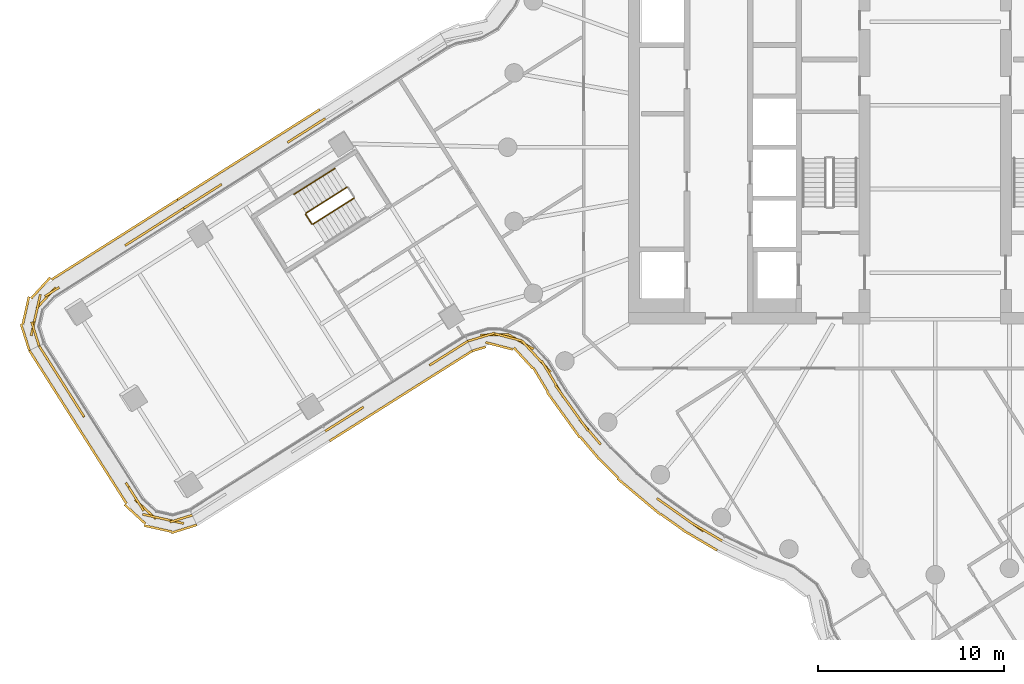
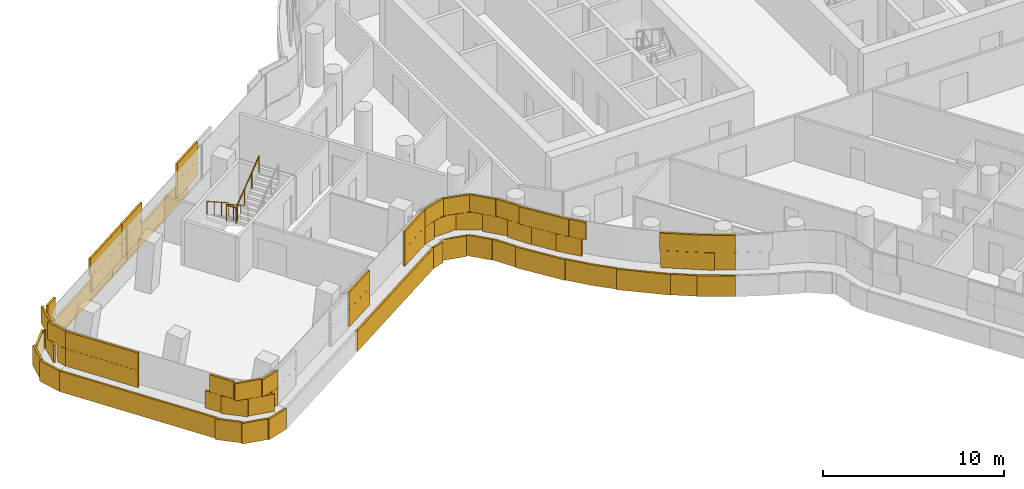
# One storey, part 31 of 36: 5 coverings, 4 railings.
"""IFC4 building model written with IfcOpenShell, lengths in metres."""

from ifc_helpers import new_model, si_unit, direction, frame, origin, origin_2d, place, context, subcontext, project, spatial, rectangle, circle, extrude, material, layer, layer_set, type_object, element, save


model = new_model("IFC4")

# Units and contexts
model_context = context("Model", 3, precision=1e-05, world=origin(), true_north=direction((0.0, 1.0)))
body_context = subcontext(model_context, "Body", "Model", "MODEL_VIEW")
ifc_project = project(units=[si_unit("LENGTHUNIT", "METRE"), si_unit("AREAUNIT", "SQUARE_METRE"), si_unit("VOLUMEUNIT", "CUBIC_METRE"), si_unit("PLANEANGLEUNIT", "RADIAN"), si_unit("MASSUNIT", "GRAM", prefix="KILO")], contexts=[model_context])

# Site, building, storey
site_placement = place(None, origin())
site = spatial("IfcSite", under=ifc_project, at=site_placement, CompositionType="ELEMENT")
building_placement = place(site_placement, origin())
building = spatial("IfcBuilding", under=site, at=building_placement, Name="Tamarind Cross Interchange Tower", CompositionType="ELEMENT")
storey_placement = place(building_placement, frame((0.0, 0.0, 151.75)))
storey = spatial("IfcBuildingStorey", under=building, at=storey_placement, Name="L37", CompositionType="ELEMENT", Elevation=151.75)

# Railings
ifc_material_1 = material(Name="Stair guard")
railing_type_1 = type_object("IfcRailingType", Name="Stair guard", PredefinedType="GUARDRAIL", material=ifc_material_1)
railing_1_placement = place(storey_placement, frame((-31.647705078125, -2.15283203125, 0.17041015625)))
element("IfcRailing", 1, at=railing_1_placement, inside=storey, type_object=railing_type_1, Name="L37 ST5 stair guard 1", PredefinedType="GUARDRAIL", context=body_context, shape_type="SweptSolid", body=[
    extrude(circle(Radius=0.02392578125, at=origin_2d()), frame((0.0, 0.0, 1.076171875), z_axis=(-0.706212529549, -0.44793019777, 0.548290434928), x_axis=(0.535617160796, -0.8444609269, 0.0)), (0.0, 0.0, 1.0), 3.10888671875),
    extrude(circle(Radius=0.02099609375, at=origin_2d()), origin(), (0.0, 0.0, 1.0), 1.052001953125),
    extrude(circle(Radius=0.02099609375, at=origin_2d()), frame((-0.73193359375, -0.464111328125, 0.568115234375)), (0.0, 0.0, 1.0), 1.052001953125),
    extrude(circle(Radius=0.02099609375, at=origin_2d()), frame((-1.463623046875, -0.928466796875, 1.136474609375)), (0.0, 0.0, 1.0), 1.052001953125),
    extrude(circle(Radius=0.02099609375, at=origin_2d()), frame((-2.195556640625, -1.392578125, 1.70458984375)), (0.0, 0.0, 1.0), 1.052001953125),
])
railing_2_placement = place(storey_placement, frame((-33.858642578125, -3.614501953125, 1.875)))
element("IfcRailing", 2, at=railing_2_placement, inside=storey, type_object=railing_type_1, Name="L37 ST5 stair guard 2", PredefinedType="GUARDRAIL", context=body_context, shape_type="SweptSolid", body=[
    extrude(circle(Radius=0.02392578125, at=origin_2d()), frame((0.0, 0.0, 1.076171875), z_axis=(0.535584501074, -0.844481641132, 0.0), x_axis=(0.844481641132, 0.535584501074, 0.0)), (0.0, 0.0, 1.0), 0.599853515625),
    extrude(circle(Radius=0.02099609375, at=origin_2d()), origin(), (0.0, 0.0, 1.0), 1.052001953125),
    extrude(circle(Radius=0.02099609375, at=origin_2d()), frame((0.3212890625, -0.506591796875, 0.0)), (0.0, 0.0, 1.0), 1.052001953125),
])
railing_3_placement = place(storey_placement, frame((-33.46826171875, -4.13671875, 2.04541015625)))
element("IfcRailing", 3, at=railing_3_placement, inside=storey, type_object=railing_type_1, Name="L37 ST5 stair guard 3", PredefinedType="GUARDRAIL", context=body_context, shape_type="SweptSolid", body=[
    extrude(circle(Radius=0.02392578125, at=origin_2d()), frame((0.0, 0.0, 1.076171875), z_axis=(0.706187687253, 0.447992967394, 0.548271147826), x_axis=(-0.535684118618, 0.844418453766, 0.0)), (0.0, 0.0, 1.0), 3.109130859375),
    extrude(circle(Radius=0.02099609375, at=origin_2d()), origin(), (0.0, 0.0, 1.0), 1.052001953125),
    extrude(circle(Radius=0.02099609375, at=origin_2d()), frame((0.73193359375, 0.46435546875, 0.568115234375)), (0.0, 0.0, 1.0), 1.052001953125),
    extrude(circle(Radius=0.02099609375, at=origin_2d()), frame((1.463623046875, 0.928466796875, 1.136474609375)), (0.0, 0.0, 1.0), 1.052001953125),
    extrude(circle(Radius=0.02099609375, at=origin_2d()), frame((2.195556640625, 1.392822265625, 1.70458984375)), (0.0, 0.0, 1.0), 1.052001953125),
])
ifc_material_2 = material(Name="Stair handrail")
railing_type_2 = type_object("IfcRailingType", Name="Stair handrail", PredefinedType="HANDRAIL", material=ifc_material_2)
railing_4_placement = place(storey_placement, frame((-32.29052734375, -1.139404296875, 0.17041015625)))
element("IfcRailing", 4, at=railing_4_placement, inside=storey, type_object=railing_type_2, Name="L37 ST5 stair handrail 1", PredefinedType="HANDRAIL", context=body_context, shape_type="SweptSolid", body=[
    extrude(circle(Radius=0.02392578125, at=origin_2d()), frame((0.0, 0.0, 0.8759765625), z_axis=(-0.706187687253, -0.447992967394, 0.548271147826), x_axis=(0.535684118618, -0.844418453766, 0.0)), (0.0, 0.0, 1.0), 3.109130859375),
    extrude(circle(Radius=0.02099609375, at=origin_2d()), origin(), (0.0, 0.0, 1.0), 0.851806640625),
    extrude(circle(Radius=0.02099609375, at=origin_2d()), frame((-0.73193359375, -0.46435546875, 0.568115234375)), (0.0, 0.0, 1.0), 0.851806640625),
    extrude(circle(Radius=0.02099609375, at=origin_2d()), frame((-1.463623046875, -0.928466796875, 1.136474609375)), (0.0, 0.0, 1.0), 0.851806640625),
    extrude(circle(Radius=0.02099609375, at=origin_2d()), frame((-2.195556640625, -1.392822265625, 1.70458984375)), (0.0, 0.0, 1.0), 0.851806640625),
])

# Coverings
ifc_material_3 = material(Name="Terracotta", Category="masonry")
ifc_layer = layer(ifc_material_3, 0.1201171875)
ifc_layer_set = layer_set([ifc_layer], Name="Terracotta")
covering_type = type_object("IfcCoveringType", Name="Terracotta baguette screen unit", PredefinedType="MOLDING", material=ifc_layer_set)
covering_1_placement = place(storey_placement, origin())
element("IfcCovering", 5, at=covering_1_placement, inside=storey, type_object=covering_type, Name="SCR-L37-03-01", PredefinedType="MOLDING", context=body_context, shape_type="SweptSolid", body=[
    extrude(rectangle(XDim=0.61279296875, YDim=0.1201171875, at=origin_2d()), frame((-33.060791015625, 1.3798828125, 1.404052734375), z_axis=(0.0, 0.0, 1.0), x_axis=(-0.844432651118, -0.535661738157, 0.0)), (0.0, 0.0, 1.0), 1.1669921875),
    extrude(rectangle(XDim=1.52001953125, YDim=0.1201171875, at=origin_2d()), frame((-33.94873046875, 0.816650390625, 1.404052734375), z_axis=(0.0, 0.0, 1.0), x_axis=(-0.844432651118, -0.535661738157, 0.0)), (0.0, 0.0, 1.0), 1.1669921875),
    extrude(rectangle(XDim=0.310302734375, YDim=0.1201171875, at=origin_2d()), frame((-34.708740234375, 0.33447265625, 1.404052734375), z_axis=(0.0, 0.0, 1.0), x_axis=(-0.844432651118, -0.535661738157, 0.0)), (0.0, 0.0, 1.0), 1.1669921875),
    extrude(rectangle(XDim=1.509765625, YDim=0.1201171875, at=origin_2d()), frame((-39.015380859375, -2.3974609375, 1.404052734375), z_axis=(0.0, 0.0, 1.0), x_axis=(-0.844432651118, -0.535661738157, 0.0)), (0.0, 0.0, 1.0), 1.1669921875),
    extrude(rectangle(XDim=0.91357421875, YDim=0.1201171875, at=origin_2d()), frame((-40.030029296875, -3.041015625, 1.404052734375), z_axis=(0.0, 0.0, 1.0), x_axis=(-0.844432651118, -0.535661738157, 0.0)), (0.0, 0.0, 1.0), 1.1669921875),
    extrude(rectangle(XDim=1.36279296875, YDim=0.1201171875, at=origin_2d()), frame((-33.37744140625, 1.178955078125, 2.5791015625), z_axis=(0.0, 0.0, 1.0), x_axis=(-0.844432651118, -0.535661738157, 0.0)), (0.0, 0.0, 1.0), 1.1669921875),
    extrude(rectangle(XDim=1.060302734375, YDim=0.1201171875, at=origin_2d()), frame((-34.39208984375, 0.535400390625, 2.5791015625), z_axis=(0.0, 0.0, 1.0), x_axis=(-0.844432651118, -0.535661738157, 0.0)), (0.0, 0.0, 1.0), 1.1669921875),
    extrude(rectangle(XDim=0.759765625, YDim=0.1201171875, at=origin_2d()), frame((-38.69873046875, -2.196533203125, 2.5791015625), z_axis=(0.0, 0.0, 1.0), x_axis=(-0.844432651118, -0.535661738157, 0.0)), (0.0, 0.0, 1.0), 1.1669921875),
    extrude(rectangle(XDim=1.52001953125, YDim=0.1201171875, at=origin_2d()), frame((-39.6484375, -2.799072265625, 2.5791015625), z_axis=(0.0, 0.0, 1.0), x_axis=(-0.844432651118, -0.535661738157, 0.0)), (0.0, 0.0, 1.0), 1.1669921875),
    extrude(rectangle(XDim=0.16357421875, YDim=0.1201171875, at=origin_2d()), frame((-40.3466796875, -3.241943359375, 2.5791015625), z_axis=(0.0, 0.0, 1.0), x_axis=(-0.844432651118, -0.535661738157, 0.0)), (0.0, 0.0, 1.0), 1.1669921875),
    extrude(rectangle(XDim=0.578369140625, YDim=0.1201171875, at=origin_2d()), frame((-33.355224609375, 1.872802734375, 0.00390625), z_axis=(0.0, 0.0, 1.0), x_axis=(-0.844432651118, -0.535661738157, 0.0)), (0.0, 0.0, 1.0), 1.39208984375),
    extrude(rectangle(XDim=1.52001953125, YDim=0.1201171875, at=origin_2d()), frame((-34.224365234375, 1.321533203125, 0.00390625), z_axis=(0.0, 0.0, 1.0), x_axis=(-0.844432651118, -0.535661738157, 0.0)), (0.0, 0.0, 1.0), 1.39208984375),
    extrude(rectangle(XDim=1.52001953125, YDim=0.1201171875, at=origin_2d()), frame((-35.490966796875, 0.51806640625, 0.00390625), z_axis=(0.0, 0.0, 1.0), x_axis=(-0.844432651118, -0.535661738157, 0.0)), (0.0, 0.0, 1.0), 1.39208984375),
    extrude(rectangle(XDim=1.52001953125, YDim=0.1201171875, at=origin_2d()), frame((-36.757568359375, -0.285400390625, 0.00390625), z_axis=(0.0, 0.0, 1.0), x_axis=(-0.844432651118, -0.535661738157, 0.0)), (0.0, 0.0, 1.0), 1.39208984375),
    extrude(rectangle(XDim=1.52001953125, YDim=0.1201171875, at=origin_2d()), frame((-38.024169921875, -1.089111328125, 0.00390625), z_axis=(0.0, 0.0, 1.0), x_axis=(-0.844432651118, -0.535661738157, 0.0)), (0.0, 0.0, 1.0), 1.39208984375),
    extrude(rectangle(XDim=1.52001953125, YDim=0.1201171875, at=origin_2d()), frame((-39.291015625, -1.892578125, 0.00390625), z_axis=(0.0, 0.0, 1.0), x_axis=(-0.844432651118, -0.535661738157, 0.0)), (0.0, 0.0, 1.0), 1.39208984375),
    extrude(rectangle(XDim=0.988525390625, YDim=0.1201171875, at=origin_2d()), frame((-40.333251953125, -2.5537109375, 0.00390625), z_axis=(0.0, 0.0, 1.0), x_axis=(-0.844432651118, -0.535661738157, 0.0)), (0.0, 0.0, 1.0), 1.39208984375),
])
covering_2_placement = place(storey_placement, origin())
element("IfcCovering", 6, at=covering_2_placement, inside=storey, type_object=covering_type, Name="SCR-L37-03-02", PredefinedType="MOLDING", context=body_context, shape_type="SweptSolid", body=[
    extrude(rectangle(XDim=0.6064453125, YDim=0.1201171875, at=origin_2d()), frame((-40.663330078125, -3.44287109375, 1.404052734375), z_axis=(0.0, 0.0, 1.0), x_axis=(-0.844432651118, -0.535661738157, 0.0)), (0.0, 0.0, 1.0), 1.1669921875),
    extrude(rectangle(XDim=1.52001953125, YDim=0.1201171875, at=origin_2d()), frame((-41.548583984375, -4.00439453125, 1.404052734375), z_axis=(0.0, 0.0, 1.0), x_axis=(-0.844432651118, -0.535661738157, 0.0)), (0.0, 0.0, 1.0), 1.1669921875),
    extrude(rectangle(XDim=1.52001953125, YDim=0.1201171875, at=origin_2d()), frame((-42.815185546875, -4.807861328125, 1.404052734375), z_axis=(0.0, 0.0, 1.0), x_axis=(-0.844432651118, -0.535661738157, 0.0)), (0.0, 0.0, 1.0), 1.1669921875),
    extrude(rectangle(XDim=1.52001953125, YDim=0.1201171875, at=origin_2d()), frame((-47.818115234375, -8.09814453125, 1.404052734375), z_axis=(0.0, 0.0, 1.0), x_axis=(-0.677019846709, -0.735964759457, 0.0)), (0.0, 0.0, 1.0), 1.1669921875),
    extrude(rectangle(XDim=1.52001953125, YDim=0.1201171875, at=origin_2d()), frame((-48.462158203125, -9.396240234375, 1.404052734375), z_axis=(0.0, 0.0, 1.0), x_axis=(-0.218334006388, -0.975874101334, 0.0)), (0.0, 0.0, 1.0), 1.1669921875),
    extrude(rectangle(XDim=0.605224609375, YDim=0.1201171875, at=origin_2d()), frame((-48.290771484375, -10.40185546875, 1.404052734375), z_axis=(0.0, 0.0, 1.0), x_axis=(0.298854254625, -0.954298765844, 0.0)), (0.0, 0.0, 1.0), 1.1669921875),
    extrude(rectangle(XDim=1.3564453125, YDim=0.1201171875, at=origin_2d()), frame((-40.97998046875, -3.643798828125, 2.5791015625), z_axis=(0.0, 0.0, 1.0), x_axis=(-0.844432651118, -0.535661738157, 0.0)), (0.0, 0.0, 1.0), 1.1669921875),
    extrude(rectangle(XDim=1.52001953125, YDim=0.1201171875, at=origin_2d()), frame((-42.181884765625, -4.406005859375, 2.5791015625), z_axis=(0.0, 0.0, 1.0), x_axis=(-0.844432651118, -0.535661738157, 0.0)), (0.0, 0.0, 1.0), 1.1669921875),
    extrude(rectangle(XDim=0.909423828125, YDim=0.1201171875, at=origin_2d()), frame((-43.19482421875, -5.048583984375, 2.5791015625), z_axis=(0.0, 0.0, 1.0), x_axis=(-0.844432651118, -0.535661738157, 0.0)), (0.0, 0.0, 1.0), 1.1669921875),
    extrude(rectangle(XDim=0.91064453125, YDim=0.1201171875, at=origin_2d()), frame((-47.50146484375, -7.780517578125, 2.5791015625), z_axis=(0.0, 0.0, 1.0), x_axis=(-0.844432651118, -0.535661738157, 0.0)), (0.0, 0.0, 1.0), 1.1669921875),
    extrude(rectangle(XDim=1.52001953125, YDim=0.1201171875, at=origin_2d()), frame((-48.29833984375, -8.664306640625, 2.5791015625), z_axis=(0.0, 0.0, 1.0), x_axis=(-0.218334006388, -0.975874101334, 0.0)), (0.0, 0.0, 1.0), 1.1669921875),
    extrude(rectangle(XDim=1.355224609375, YDim=0.1201171875, at=origin_2d()), frame((-48.40283203125, -10.0439453125, 2.5791015625), z_axis=(0.0, 0.0, 1.0), x_axis=(0.298854254625, -0.954298765844, 0.0)), (0.0, 0.0, 1.0), 1.1669921875),
    extrude(rectangle(XDim=0.531494140625, YDim=0.1201171875, at=origin_2d()), frame((-40.974853515625, -2.960693359375, 0.00390625), z_axis=(0.0, 0.0, 1.0), x_axis=(-0.844432651118, -0.535661738157, 0.0)), (0.0, 0.0, 1.0), 1.39208984375),
    extrude(rectangle(XDim=1.52001953125, YDim=0.1201171875, at=origin_2d()), frame((-41.82421875, -3.49951171875, 0.00390625), z_axis=(0.0, 0.0, 1.0), x_axis=(-0.844432651118, -0.535661738157, 0.0)), (0.0, 0.0, 1.0), 1.39208984375),
    extrude(rectangle(XDim=1.52001953125, YDim=0.1201171875, at=origin_2d()), frame((-43.0908203125, -4.302978515625, 0.00390625), z_axis=(0.0, 0.0, 1.0), x_axis=(-0.844432651118, -0.535661738157, 0.0)), (0.0, 0.0, 1.0), 1.39208984375),
    extrude(rectangle(XDim=1.52001953125, YDim=0.1201171875, at=origin_2d()), frame((-44.357421875, -5.1064453125, 0.00390625), z_axis=(0.0, 0.0, 1.0), x_axis=(-0.844432651118, -0.535661738157, 0.0)), (0.0, 0.0, 1.0), 1.39208984375),
    extrude(rectangle(XDim=1.52001953125, YDim=0.1201171875, at=origin_2d()), frame((-45.624267578125, -5.909912109375, 0.00390625), z_axis=(0.0, 0.0, 1.0), x_axis=(-0.844432651118, -0.535661738157, 0.0)), (0.0, 0.0, 1.0), 1.39208984375),
    extrude(rectangle(XDim=1.52001953125, YDim=0.1201171875, at=origin_2d()), frame((-46.890869140625, -6.71337890625, 0.00390625), z_axis=(0.0, 0.0, 1.0), x_axis=(-0.844432651118, -0.535661738157, 0.0)), (0.0, 0.0, 1.0), 1.39208984375),
    extrude(rectangle(XDim=1.52001953125, YDim=0.1201171875, at=origin_2d()), frame((-48.112548828125, -7.570556640625, 0.00390625), z_axis=(0.0, 0.0, 1.0), x_axis=(-0.677019846709, -0.735964759457, 0.0)), (0.0, 0.0, 1.0), 1.39208984375),
    extrude(rectangle(XDim=1.52001953125, YDim=0.1201171875, at=origin_2d()), frame((-48.9140625, -8.78662109375, 0.00390625), z_axis=(0.0, 0.0, 1.0), x_axis=(-0.218334006388, -0.975874101334, 0.0)), (0.0, 0.0, 1.0), 1.39208984375),
    extrude(rectangle(XDim=1.484619140625, YDim=0.1201171875, at=origin_2d()), frame((-48.948974609375, -10.22119140625, 0.00390625), z_axis=(0.0, 0.0, 1.0), x_axis=(0.298854254625, -0.954298765844, 0.0)), (0.0, 0.0, 1.0), 1.39208984375),
])
covering_3_placement = place(storey_placement, origin())
element("IfcCovering", 7, at=covering_3_placement, inside=storey, type_object=covering_type, Name="SCR-L37-04-00", PredefinedType="MOLDING", context=body_context, shape_type="SweptSolid", body=[
    extrude(rectangle(XDim=0.760009765625, YDim=0.1201171875, at=origin_2d()), frame((-48.0009765625, -11.00244140625, 1.404052734375), z_axis=(0.0, 0.0, 1.0), x_axis=(0.535661738157, -0.844432651118, 0.0)), (0.0, 0.0, 1.0), 1.1669921875),
    extrude(rectangle(XDim=1.52001953125, YDim=0.1201171875, at=origin_2d()), frame((-47.3984375, -11.952392578125, 1.404052734375), z_axis=(0.0, 0.0, 1.0), x_axis=(0.535661738157, -0.844432651118, 0.0)), (0.0, 0.0, 1.0), 1.1669921875),
    extrude(rectangle(XDim=1.52001953125, YDim=0.1201171875, at=origin_2d()), frame((-46.594970703125, -13.21923828125, 1.404052734375), z_axis=(0.0, 0.0, 1.0), x_axis=(0.535661738157, -0.844432651118, 0.0)), (0.0, 0.0, 1.0), 1.1669921875),
    extrude(rectangle(XDim=0.784912109375, YDim=0.1201171875, at=origin_2d()), frame((-45.985595703125, -14.1796875, 1.404052734375), z_axis=(0.0, 0.0, 1.0), x_axis=(0.535661738157, -0.844432651118, 0.0)), (0.0, 0.0, 1.0), 1.1669921875),
    extrude(rectangle(XDim=1.03515625, YDim=0.1201171875, at=origin_2d()), frame((-43.253662109375, -18.486328125, 1.404052734375), z_axis=(0.0, 0.0, 1.0), x_axis=(0.535661738157, -0.844432651118, 0.0)), (0.0, 0.0, 1.0), 1.1669921875),
    extrude(rectangle(XDim=1.52001953125, YDim=0.1201171875, at=origin_2d()), frame((-42.48193359375, -19.47265625, 1.404052734375), z_axis=(0.0, 0.0, 1.0), x_axis=(0.735964759457, -0.677019846709, 0.0)), (0.0, 0.0, 1.0), 1.1669921875),
    extrude(rectangle(XDim=1.52001953125, YDim=0.1201171875, at=origin_2d()), frame((-41.160888671875, -20.072998046875, 1.404052734375), z_axis=(0.0, 0.0, 1.0), x_axis=(0.975874101334, -0.218334006388, 0.0)), (0.0, 0.0, 1.0), 1.1669921875),
    extrude(rectangle(XDim=0.509521484375, YDim=0.1201171875, at=origin_2d()), frame((-40.202880859375, -19.866455078125, 1.404052734375), z_axis=(0.0, 0.0, 1.0), x_axis=(0.954298765844, 0.298854254625, 0.0)), (0.0, 0.0, 1.0), 1.1669921875),
    extrude(rectangle(XDim=1.510009765625, YDim=0.1201171875, at=origin_2d()), frame((-47.800048828125, -11.319091796875, 2.5791015625), z_axis=(0.0, 0.0, 1.0), x_axis=(0.535661738157, -0.844432651118, 0.0)), (0.0, 0.0, 1.0), 1.1669921875),
    extrude(rectangle(XDim=1.52001953125, YDim=0.1201171875, at=origin_2d()), frame((-46.99658203125, -12.5859375, 2.5791015625), z_axis=(0.0, 0.0, 1.0), x_axis=(0.535661738157, -0.844432651118, 0.0)), (0.0, 0.0, 1.0), 1.1669921875),
    extrude(rectangle(XDim=1.52001953125, YDim=0.1201171875, at=origin_2d()), frame((-46.193115234375, -13.8525390625, 2.5791015625), z_axis=(0.0, 0.0, 1.0), x_axis=(0.535661738157, -0.844432651118, 0.0)), (0.0, 0.0, 1.0), 1.1669921875),
    extrude(rectangle(XDim=1.52001953125, YDim=0.1201171875, at=origin_2d()), frame((-42.979248046875, -18.919189453125, 2.5791015625), z_axis=(0.0, 0.0, 1.0), x_axis=(0.535661738157, -0.844432651118, 0.0)), (0.0, 0.0, 1.0), 1.1669921875),
    extrude(rectangle(XDim=1.52001953125, YDim=0.1201171875, at=origin_2d()), frame((-41.892822265625, -19.909423828125, 2.5791015625), z_axis=(0.0, 0.0, 1.0), x_axis=(0.975874101334, -0.218334006388, 0.0)), (0.0, 0.0, 1.0), 1.1669921875),
    extrude(rectangle(XDim=1.259521484375, YDim=0.1201171875, at=origin_2d()), frame((-40.560791015625, -19.978515625, 2.5791015625), z_axis=(0.0, 0.0, 1.0), x_axis=(0.954298765844, 0.298854254625, 0.0)), (0.0, 0.0, 1.0), 1.1669921875),
    extrude(rectangle(XDim=0.760009765625, YDim=0.1201171875, at=origin_2d()), frame((-48.5234375, -11.25048828125, 0.00390625), z_axis=(0.0, 0.0, 1.0), x_axis=(0.535661738157, -0.844432651118, 0.0)), (0.0, 0.0, 1.0), 1.39208984375),
    extrude(rectangle(XDim=1.52001953125, YDim=0.1201171875, at=origin_2d()), frame((-47.923583984375, -12.1962890625, 0.00390625), z_axis=(0.0, 0.0, 1.0), x_axis=(0.535661738157, -0.844432651118, 0.0)), (0.0, 0.0, 1.0), 1.39208984375),
    extrude(rectangle(XDim=1.52001953125, YDim=0.1201171875, at=origin_2d()), frame((-47.1201171875, -13.462890625, 0.00390625), z_axis=(0.0, 0.0, 1.0), x_axis=(0.535661738157, -0.844432651118, 0.0)), (0.0, 0.0, 1.0), 1.39208984375),
    extrude(rectangle(XDim=1.52001953125, YDim=0.1201171875, at=origin_2d()), frame((-46.316650390625, -14.7294921875, 0.00390625), z_axis=(0.0, 0.0, 1.0), x_axis=(0.535661738157, -0.844432651118, 0.0)), (0.0, 0.0, 1.0), 1.39208984375),
    extrude(rectangle(XDim=1.52001953125, YDim=0.1201171875, at=origin_2d()), frame((-45.51318359375, -15.99609375, 0.00390625), z_axis=(0.0, 0.0, 1.0), x_axis=(0.535661738157, -0.844432651118, 0.0)), (0.0, 0.0, 1.0), 1.39208984375),
    extrude(rectangle(XDim=1.52001953125, YDim=0.1201171875, at=origin_2d()), frame((-44.709716796875, -17.2626953125, 0.00390625), z_axis=(0.0, 0.0, 1.0), x_axis=(0.535661738157, -0.844432651118, 0.0)), (0.0, 0.0, 1.0), 1.39208984375),
    extrude(rectangle(XDim=1.52001953125, YDim=0.1201171875, at=origin_2d()), frame((-43.906005859375, -18.529296875, 0.00390625), z_axis=(0.0, 0.0, 1.0), x_axis=(0.535661738157, -0.844432651118, 0.0)), (0.0, 0.0, 1.0), 1.39208984375),
    extrude(rectangle(XDim=1.52001953125, YDim=0.1201171875, at=origin_2d()), frame((-43.03759765625, -19.74169921875, 0.00390625), z_axis=(0.0, 0.0, 1.0), x_axis=(0.735964759457, -0.677019846709, 0.0)), (0.0, 0.0, 1.0), 1.39208984375),
    extrude(rectangle(XDim=1.52001953125, YDim=0.1201171875, at=origin_2d()), frame((-41.8076171875, -20.5166015625, 0.00390625), z_axis=(0.0, 0.0, 1.0), x_axis=(0.975874101334, -0.218334006388, 0.0)), (0.0, 0.0, 1.0), 1.39208984375),
    extrude(rectangle(XDim=1.426513671875, YDim=0.1201171875, at=origin_2d()), frame((-40.402099609375, -20.530517578125, 0.00390625), z_axis=(0.0, 0.0, 1.0), x_axis=(0.954298765844, 0.298854254625, 0.0)), (0.0, 0.0, 1.0), 1.39208984375),
])
covering_4_placement = place(storey_placement, origin())
element("IfcCovering", 8, at=covering_4_placement, inside=storey, type_object=covering_type, Name="SCR-L37-05-01", PredefinedType="MOLDING", context=body_context, shape_type="SweptSolid", body=[
    extrude(rectangle(XDim=1.300537109375, YDim=0.1201171875, at=origin_2d()), frame((-32.26611328125, -14.93115234375, 1.404052734375), z_axis=(0.0, 0.0, 1.0), x_axis=(0.845559868241, 0.533880613265, 0.0)), (0.0, 0.0, 1.0), 1.1669921875),
    extrude(rectangle(XDim=1.15478515625, YDim=0.1201171875, at=origin_2d()), frame((-31.236328125, -14.281005859375, 1.404052734375), z_axis=(0.0, 0.0, 1.0), x_axis=(0.845559868241, 0.533880613265, 0.0)), (0.0, 0.0, 1.0), 1.1669921875),
    extrude(rectangle(XDim=0.665283203125, YDim=0.1201171875, at=origin_2d()), frame((-26.924072265625, -11.55810546875, 1.404052734375), z_axis=(0.0, 0.0, 1.0), x_axis=(0.845559868241, 0.533880613265, 0.0)), (0.0, 0.0, 1.0), 1.1669921875),
    extrude(rectangle(XDim=1.52001953125, YDim=0.1201171875, at=origin_2d()), frame((-26.012939453125, -10.98291015625, 1.404052734375), z_axis=(0.0, 0.0, 1.0), x_axis=(0.845559868241, 0.533880613265, 0.0)), (0.0, 0.0, 1.0), 1.1669921875),
    extrude(rectangle(XDim=0.2900390625, YDim=0.1201171875, at=origin_2d()), frame((-25.26025390625, -10.5078125, 1.404052734375), z_axis=(0.0, 0.0, 1.0), x_axis=(0.845559868241, 0.533880613265, 0.0)), (0.0, 0.0, 1.0), 1.1669921875),
    extrude(rectangle(XDim=0.550537109375, YDim=0.1201171875, at=origin_2d()), frame((-32.5830078125, -15.13134765625, 2.5791015625), z_axis=(0.0, 0.0, 1.0), x_axis=(0.845559868241, 0.533880613265, 0.0)), (0.0, 0.0, 1.0), 1.1669921875),
    extrude(rectangle(XDim=1.52001953125, YDim=0.1201171875, at=origin_2d()), frame((-31.720458984375, -14.586669921875, 2.5791015625), z_axis=(0.0, 0.0, 1.0), x_axis=(0.845559868241, 0.533880613265, 0.0)), (0.0, 0.0, 1.0), 1.1669921875),
    extrude(rectangle(XDim=0.40478515625, YDim=0.1201171875, at=origin_2d()), frame((-30.91943359375, -14.080810546875, 2.5791015625), z_axis=(0.0, 0.0, 1.0), x_axis=(0.845559868241, 0.533880613265, 0.0)), (0.0, 0.0, 1.0), 1.1669921875),
    extrude(rectangle(XDim=1.415283203125, YDim=0.1201171875, at=origin_2d()), frame((-26.60693359375, -11.35791015625, 2.5791015625), z_axis=(0.0, 0.0, 1.0), x_axis=(0.845559868241, 0.533880613265, 0.0)), (0.0, 0.0, 1.0), 1.1669921875),
    extrude(rectangle(XDim=1.0400390625, YDim=0.1201171875, at=origin_2d()), frame((-25.577392578125, -10.7080078125, 2.5791015625), z_axis=(0.0, 0.0, 1.0), x_axis=(0.845559868241, 0.533880613265, 0.0)), (0.0, 0.0, 1.0), 1.1669921875),
    extrude(rectangle(XDim=1.30224609375, YDim=0.1201171875, at=origin_2d()), frame((-32.01953125, -15.4541015625, 0.00390625), z_axis=(0.0, 0.0, 1.0), x_axis=(0.845559868241, 0.533880613265, 0.0)), (0.0, 0.0, 1.0), 1.39208984375),
    extrude(rectangle(XDim=1.52001953125, YDim=0.1201171875, at=origin_2d()), frame((-30.84326171875, -14.71142578125, 0.00390625), z_axis=(0.0, 0.0, 1.0), x_axis=(0.845559868241, 0.533880613265, 0.0)), (0.0, 0.0, 1.0), 1.39208984375),
    extrude(rectangle(XDim=1.52001953125, YDim=0.1201171875, at=origin_2d()), frame((-29.57470703125, -13.91064453125, 0.00390625), z_axis=(0.0, 0.0, 1.0), x_axis=(0.845559868241, 0.533880613265, 0.0)), (0.0, 0.0, 1.0), 1.39208984375),
    extrude(rectangle(XDim=1.52001953125, YDim=0.1201171875, at=origin_2d()), frame((-28.306396484375, -13.10986328125, 0.00390625), z_axis=(0.0, 0.0, 1.0), x_axis=(0.845559868241, 0.533880613265, 0.0)), (0.0, 0.0, 1.0), 1.39208984375),
    extrude(rectangle(XDim=1.52001953125, YDim=0.1201171875, at=origin_2d()), frame((-27.0380859375, -12.30908203125, 0.00390625), z_axis=(0.0, 0.0, 1.0), x_axis=(0.845559868241, 0.533880613265, 0.0)), (0.0, 0.0, 1.0), 1.39208984375),
    extrude(rectangle(XDim=1.52001953125, YDim=0.1201171875, at=origin_2d()), frame((-25.769775390625, -11.50830078125, 0.00390625), z_axis=(0.0, 0.0, 1.0), x_axis=(0.845559868241, 0.533880613265, 0.0)), (0.0, 0.0, 1.0), 1.39208984375),
    extrude(rectangle(XDim=0.28662109375, YDim=0.1201171875, at=origin_2d()), frame((-25.02294921875, -11.03662109375, 0.00390625), z_axis=(0.0, 0.0, 1.0), x_axis=(0.845559868241, 0.533880613265, 0.0)), (0.0, 0.0, 1.0), 1.39208984375),
])
covering_5_placement = place(storey_placement, origin())
element("IfcCovering", 9, at=covering_5_placement, inside=storey, type_object=covering_type, Name="SCR-L37-06-00", PredefinedType="MOLDING", context=body_context, shape_type="SweptSolid", body=[
    extrude(rectangle(XDim=0.760009765625, YDim=0.1201171875, at=origin_2d()), frame((-24.78271484375, -10.324951171875, 1.404052734375), z_axis=(0.0, 0.0, 1.0), x_axis=(0.957684417312, 0.28782035515, 0.0)), (0.0, 0.0, 1.0), 1.1669921875),
    extrude(rectangle(XDim=1.52001953125, YDim=0.1201171875, at=origin_2d()), frame((-23.692138671875, -10.08642578125, 1.404052734375), z_axis=(0.0, 0.0, 1.0), x_axis=(0.999826857432, 0.018607932669, 0.0)), (0.0, 0.0, 1.0), 1.1669921875),
    extrude(rectangle(XDim=1.52001953125, YDim=0.1201171875, at=origin_2d()), frame((-22.26220703125, -10.48095703125, 1.404052734375), z_axis=(0.0, 0.0, 1.0), x_axis=(0.863779536293, -0.503869936275, 0.0)), (0.0, 0.0, 1.0), 1.1669921875),
    extrude(rectangle(XDim=1.52001953125, YDim=0.1201171875, at=origin_2d()), frame((-21.203369140625, -11.53076171875, 1.404052734375), z_axis=(0.0, 0.0, 1.0), x_axis=(0.676351311296, -0.736579190385, 0.0)), (0.0, 0.0, 1.0), 1.1669921875),
    extrude(rectangle(XDim=1.52001953125, YDim=0.1201171875, at=origin_2d()), frame((-20.391845703125, -12.78759765625, 1.404052734375), z_axis=(0.0, 0.0, 1.0), x_axis=(0.515900752568, -0.856648360472, 0.0)), (0.0, 0.0, 1.0), 1.1669921875),
    extrude(rectangle(XDim=1.52001953125, YDim=0.1201171875, at=origin_2d()), frame((-19.552978515625, -14.029541015625, 1.404052734375), z_axis=(0.0, 0.0, 1.0), x_axis=(0.584573890505, -0.811340475102, 0.0)), (0.0, 0.0, 1.0), 1.1669921875),
    extrude(rectangle(XDim=1.52001953125, YDim=0.1201171875, at=origin_2d()), frame((-18.646240234375, -15.223388671875, 1.404052734375), z_axis=(0.0, 0.0, 1.0), x_axis=(0.64957723968, -0.760295606781, 0.0)), (0.0, 0.0, 1.0), 1.1669921875),
    extrude(rectangle(XDim=1.52001953125, YDim=0.1201171875, at=origin_2d()), frame((-14.31591796875, -19.35107421875, 1.404052734375), z_axis=(0.0, 0.0, 1.0), x_axis=(0.816341886298, -0.577568978284, 0.0)), (0.0, 0.0, 1.0), 1.1669921875),
    extrude(rectangle(XDim=1.52001953125, YDim=0.1201171875, at=origin_2d()), frame((-13.09130859375, -20.21728515625, 1.404052734375), z_axis=(0.0, 0.0, 1.0), x_axis=(0.816341886298, -0.577568978284, 0.0)), (0.0, 0.0, 1.0), 1.1669921875),
    extrude(rectangle(XDim=1.158203125, YDim=0.1201171875, at=origin_2d()), frame((-11.951416015625, -20.890625, 1.404052734375), z_axis=(0.0, 0.0, 1.0), x_axis=(0.861248933065, -0.508183308752, 0.0)), (0.0, 0.0, 1.0), 1.1669921875),
    extrude(rectangle(XDim=1.510009765625, YDim=0.1201171875, at=origin_2d()), frame((-24.423583984375, -10.217041015625, 2.5791015625), z_axis=(0.0, 0.0, 1.0), x_axis=(0.957684417312, 0.28782035515, 0.0)), (0.0, 0.0, 1.0), 1.1669921875),
    extrude(rectangle(XDim=1.52001953125, YDim=0.1201171875, at=origin_2d()), frame((-22.960205078125, -10.224609375, 2.5791015625), z_axis=(0.0, 0.0, 1.0), x_axis=(0.967730839938, -0.251986153257, 0.0)), (0.0, 0.0, 1.0), 1.1669921875),
    extrude(rectangle(XDim=1.52001953125, YDim=0.1201171875, at=origin_2d()), frame((-21.71044921875, -10.978271484375, 2.5791015625), z_axis=(0.0, 0.0, 1.0), x_axis=(0.676351311296, -0.736579190385, 0.0)), (0.0, 0.0, 1.0), 1.1669921875),
    extrude(rectangle(XDim=1.52001953125, YDim=0.1201171875, at=origin_2d()), frame((-20.77880859375, -12.14501953125, 2.5791015625), z_axis=(0.0, 0.0, 1.0), x_axis=(0.515900752568, -0.856648360472, 0.0)), (0.0, 0.0, 1.0), 1.1669921875),
    extrude(rectangle(XDim=1.52001953125, YDim=0.1201171875, at=origin_2d()), frame((-19.991455078125, -13.421142578125, 2.5791015625), z_axis=(0.0, 0.0, 1.0), x_axis=(0.584573890505, -0.811340475102, 0.0)), (0.0, 0.0, 1.0), 1.1669921875),
    extrude(rectangle(XDim=1.52001953125, YDim=0.1201171875, at=origin_2d()), frame((-19.114501953125, -14.63818359375, 2.5791015625), z_axis=(0.0, 0.0, 1.0), x_axis=(0.584573890505, -0.811340475102, 0.0)), (0.0, 0.0, 1.0), 1.1669921875),
    extrude(rectangle(XDim=1.0185546875, YDim=0.1201171875, at=origin_2d()), frame((-18.31884765625, -15.606689453125, 2.5791015625), z_axis=(0.0, 0.0, 1.0), x_axis=(0.64957723968, -0.760295606781, 0.0)), (0.0, 0.0, 1.0), 1.1669921875),
    extrude(rectangle(XDim=0.801513671875, YDim=0.1201171875, at=origin_2d()), frame((-14.638916015625, -19.122314453125, 2.5791015625), z_axis=(0.0, 0.0, 1.0), x_axis=(0.816341886298, -0.577568978284, 0.0)), (0.0, 0.0, 1.0), 1.1669921875),
    extrude(rectangle(XDim=1.52001953125, YDim=0.1201171875, at=origin_2d()), frame((-13.70361328125, -19.7841796875, 2.5791015625), z_axis=(0.0, 0.0, 1.0), x_axis=(0.816341886298, -0.577568978284, 0.0)), (0.0, 0.0, 1.0), 1.1669921875),
    extrude(rectangle(XDim=1.52001953125, YDim=0.1201171875, at=origin_2d()), frame((-12.44580078125, -20.598876953125, 2.5791015625), z_axis=(0.0, 0.0, 1.0), x_axis=(0.861248933065, -0.508183308752, 0.0)), (0.0, 0.0, 1.0), 1.1669921875),
    extrude(rectangle(XDim=0.408203125, YDim=0.1201171875, at=origin_2d()), frame((-11.62841796875, -21.0810546875, 2.5791015625), z_axis=(0.0, 0.0, 1.0), x_axis=(0.861248933065, -0.508183308752, 0.0)), (0.0, 0.0, 1.0), 1.1669921875),
    extrude(rectangle(XDim=0.760009765625, YDim=0.1201171875, at=origin_2d()), frame((-24.537841796875, -10.850830078125, 0.00390625), z_axis=(0.0, 0.0, 1.0), x_axis=(0.957684417312, 0.28782035515, 0.0)), (0.0, 0.0, 1.0), 1.39208984375),
    extrude(rectangle(XDim=1.52001953125, YDim=0.1201171875, at=origin_2d()), frame((-23.44921875, -10.6904296875, 0.00390625), z_axis=(0.0, 0.0, 1.0), x_axis=(0.967730839938, -0.251986153257, 0.0)), (0.0, 0.0, 1.0), 1.39208984375),
    extrude(rectangle(XDim=1.52001953125, YDim=0.1201171875, at=origin_2d()), frame((-22.14990234375, -11.348388671875, 0.00390625), z_axis=(0.0, 0.0, 1.0), x_axis=(0.676351311296, -0.736579190385, 0.0)), (0.0, 0.0, 1.0), 1.39208984375),
    extrude(rectangle(XDim=1.52001953125, YDim=0.1201171875, at=origin_2d()), frame((-21.2236328125, -12.519287109375, 0.00390625), z_axis=(0.0, 0.0, 1.0), x_axis=(0.515900752568, -0.856648360472, 0.0)), (0.0, 0.0, 1.0), 1.39208984375),
    extrude(rectangle(XDim=1.52001953125, YDim=0.1201171875, at=origin_2d()), frame((-20.431396484375, -13.792236328125, 0.00390625), z_axis=(0.0, 0.0, 1.0), x_axis=(0.584573890505, -0.811340475102, 0.0)), (0.0, 0.0, 1.0), 1.39208984375),
    extrude(rectangle(XDim=1.52001953125, YDim=0.1201171875, at=origin_2d()), frame((-19.5546875, -15.00927734375, 0.00390625), z_axis=(0.0, 0.0, 1.0), x_axis=(0.584573890505, -0.811340475102, 0.0)), (0.0, 0.0, 1.0), 1.39208984375),
    extrude(rectangle(XDim=1.52001953125, YDim=0.1201171875, at=origin_2d()), frame((-18.597900390625, -16.16357421875, 0.00390625), z_axis=(0.0, 0.0, 1.0), x_axis=(0.64957723968, -0.760295606781, 0.0)), (0.0, 0.0, 1.0), 1.39208984375),
    extrude(rectangle(XDim=1.52001953125, YDim=0.1201171875, at=origin_2d()), frame((-17.581787109375, -17.26513671875, 0.00390625), z_axis=(0.0, 0.0, 1.0), x_axis=(0.710143317658, -0.704057148523, 0.0)), (0.0, 0.0, 1.0), 1.39208984375),
    extrude(rectangle(XDim=1.52001953125, YDim=0.1201171875, at=origin_2d()), frame((-16.50830078125, -18.31201171875, 0.00390625), z_axis=(0.0, 0.0, 1.0), x_axis=(0.765858396687, -0.643009266048, 0.0)), (0.0, 0.0, 1.0), 1.39208984375),
    extrude(rectangle(XDim=1.52001953125, YDim=0.1201171875, at=origin_2d()), frame((-15.359375, -19.276611328125, 0.00390625), z_axis=(0.0, 0.0, 1.0), x_axis=(0.765858396687, -0.643009266048, 0.0)), (0.0, 0.0, 1.0), 1.39208984375),
    extrude(rectangle(XDim=1.52001953125, YDim=0.1201171875, at=origin_2d()), frame((-14.154541015625, -20.168212890625, 0.00390625), z_axis=(0.0, 0.0, 1.0), x_axis=(0.816341886298, -0.577568978284, 0.0)), (0.0, 0.0, 1.0), 1.39208984375),
    extrude(rectangle(XDim=1.52001953125, YDim=0.1201171875, at=origin_2d()), frame((-12.904296875, -20.994873046875, 0.00390625), z_axis=(0.0, 0.0, 1.0), x_axis=(0.861248933065, -0.508183308752, 0.0)), (0.0, 0.0, 1.0), 1.39208984375),
    extrude(rectangle(XDim=0.623046875, YDim=0.1201171875, at=origin_2d()), frame((-11.99853515625, -21.529296875, 0.00390625), z_axis=(0.0, 0.0, 1.0), x_axis=(0.861248933065, -0.508183308752, 0.0)), (0.0, 0.0, 1.0), 1.39208984375),
])

save(model, "model.ifc")
